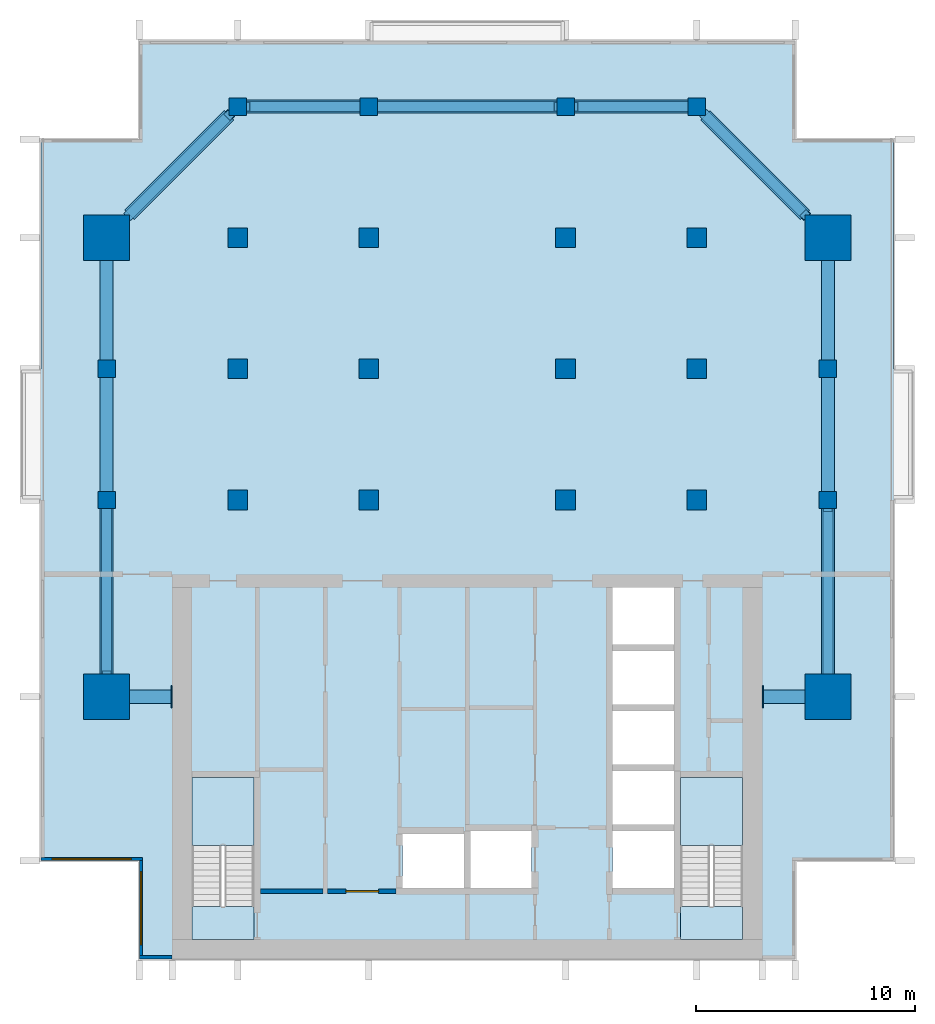
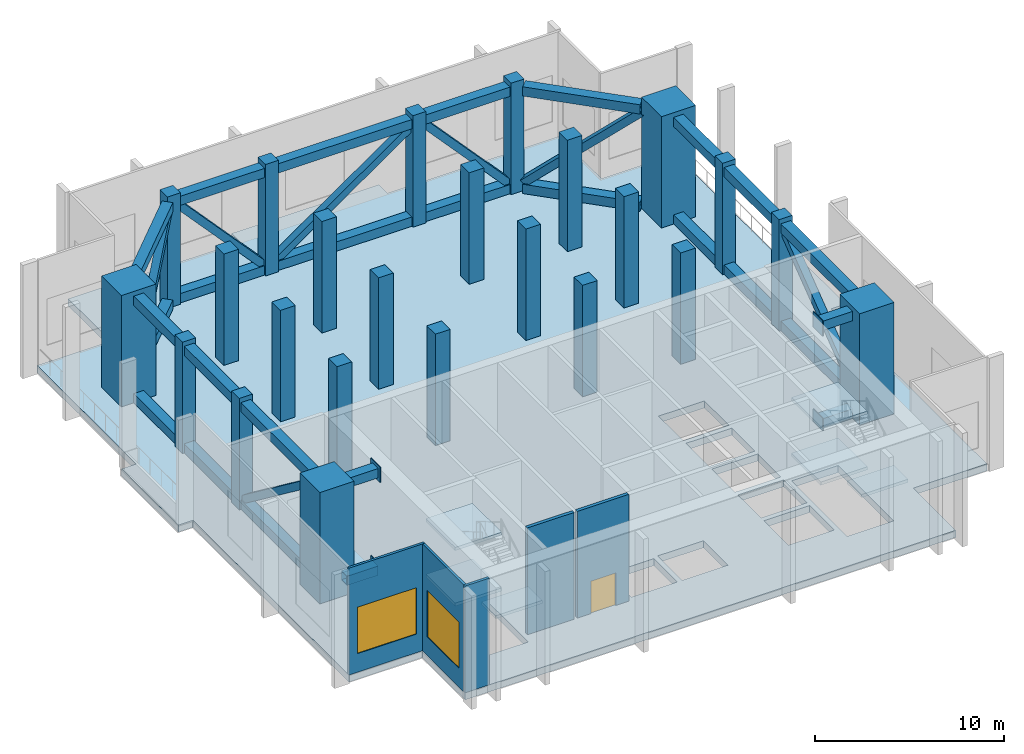
# One storey, part 1 of 9: 33 members, 24 columns, 7 slabs, 5 walls, 4 plates, 2 windows, 1 door, 3 openings, 2 elements without a shape of their own.
"""IFC4 building model written with IfcOpenShell, lengths in metres."""

from ifc_helpers import new_model, si_unit, direction, frame, frame_2d, origin, origin_2d, place, context, subcontext, project, spatial, polyline, rectangle, hollow_rectangle, outline, extrude, material, layer, layer_set, material_profile, profile_set, type_object, element, fill, aggregate, save


model = new_model("IFC4")

# Units and contexts
model_context = context("Model", 3, precision=1e-05, world=origin(), true_north=direction((0.0, 1.0)))
body_context = subcontext(model_context, "Body", "Model", "MODEL_VIEW")
ifc_project = project(units=[si_unit("LENGTHUNIT", "METRE"), si_unit("AREAUNIT", "SQUARE_METRE"), si_unit("VOLUMEUNIT", "CUBIC_METRE"), si_unit("PLANEANGLEUNIT", "RADIAN"), si_unit("MASSUNIT", "GRAM", prefix="KILO")], contexts=[model_context])

# Site, building, storey
site_placement = place(None, origin())
site = spatial("IfcSite", under=ifc_project, at=site_placement, CompositionType="ELEMENT")
building_placement = place(site_placement, origin())
building = spatial("IfcBuilding", under=site, at=building_placement, Name="Finial Court Residences", CompositionType="ELEMENT")
storey_placement = place(building_placement, frame((0.0, 0.0, 248.300048828125)))
storey = spatial("IfcBuildingStorey", under=building, at=storey_placement, Name="L63", CompositionType="ELEMENT", Elevation=248.300048828125)

# Columns
ifc_material_1 = material(Name="Concrete C50/60", Category="concrete")
ifc_material_profile_1 = material_profile(ifc_material_1, rectangle(XDim=0.89990234375, YDim=0.89990234375, at=origin_2d()), Name="900x900")
ifc_profile_set_1 = profile_set([ifc_material_profile_1], Name="Concrete C50/60")
column_type_1 = type_object("IfcColumnType", Name="Interior column 900x900 Concrete C50/60", PredefinedType="COLUMN", material=ifc_profile_set_1)
for number, where, z_axis, x_axis, name in (
    (1, (-10.5, -4.5, 0.0), (0.0, 0.0, 1.0), (1.0, 0.0, 0.0), "S:COL:L63:D4"),
    (2, (-10.5, 1.5, 0.0), (0.0, 0.0, 1.0), (1.0, 0.0, 0.0), "S:COL:L63:D5"),
    (3, (-10.5, 7.5, 0.0), (0.0, 0.0, 1.0), (1.0, 0.0, 0.0), "S:COL:L63:D6"),
    (4, (-4.5, -4.5, 0.0), (0.0, 0.0, 1.0), (1.0, 0.0, 0.0), "S:COL:L63:E4"),
    (5, (-4.5, 1.5, 0.0), (0.0, 0.0, 1.0), (1.0, 0.0, 0.0), "S:COL:L63:E5"),
    (6, (-4.5, 7.5, 0.0), (0.0, 0.0, 1.0), (1.0, 0.0, 0.0), "S:COL:L63:E6"),
    (7, (4.5, -4.5, 0.0), (0.0, 0.0, 1.0), (1.0, 0.0, 0.0), "S:COL:L63:F4"),
    (8, (4.5, 1.5, 0.0), (0.0, 0.0, 1.0), (1.0, 0.0, 0.0), "S:COL:L63:F5"),
    (9, (4.5, 7.5, 0.0), (0.0, 0.0, 1.0), (1.0, 0.0, 0.0), "S:COL:L63:F6"),
    (10, (10.5, -4.5, 0.0), (0.0, 0.0, 1.0), (1.0, 0.0, 0.0), "S:COL:L63:G4"),
    (11, (10.5, 1.5, 0.0), (0.0, 0.0, 1.0), (1.0, 0.0, 0.0), "S:COL:L63:G5"),
    (12, (10.5, 7.5, 0.0), (0.0, 0.0, 1.0), (1.0, 0.0, 0.0), "S:COL:L63:G6"),
):
    element("IfcColumn", number, at=place(storey_placement, frame(where, z_axis=z_axis, x_axis=x_axis)), inside=storey, type_object=column_type_1, Name=name, PredefinedType="COLUMN", context=body_context, shape_type="SweptSolid", body=[
        extrude(rectangle(XDim=0.89990234375, YDim=0.89990234375, at=origin_2d()), origin(), (0.0, 0.0, 1.0), 7.199951171875),
    ])
ifc_material_profile_2 = material_profile(ifc_material_1, rectangle(XDim=2.10009765625, YDim=2.10009765625, at=origin_2d()), Name="2100x2100")
ifc_profile_set_2 = profile_set([ifc_material_profile_2], Name="Concrete C50/60")
column_type_2 = type_object("IfcColumnType", Name="Mega column 2100x2100 Concrete C50/60", PredefinedType="COLUMN", material=ifc_profile_set_2)
for number, where, z_axis, x_axis, name in (
    (13, (-16.5, -13.5, 0.0), (0.0, 0.0, 1.0), (1.0, 0.0, 0.0), "S:COL:L63:C3"),
    (14, (-16.5, 7.5, 0.0), (0.0, 0.0, 1.0), (1.0, 0.0, 0.0), "S:COL:L63:C6"),
    (15, (16.5, -13.5, 0.0), (0.0, 0.0, 1.0), (1.0, 0.0, 0.0), "S:COL:L63:H3"),
    (16, (16.5, 7.5, 0.0), (0.0, 0.0, 1.0), (1.0, 0.0, 0.0), "S:COL:L63:H6"),
):
    element("IfcColumn", number, at=place(storey_placement, frame(where, z_axis=z_axis, x_axis=x_axis)), inside=storey, type_object=column_type_2, Name=name, PredefinedType="COLUMN", context=body_context, shape_type="SweptSolid", body=[
        extrude(rectangle(XDim=2.10009765625, YDim=2.10009765625, at=origin_2d()), origin(), (0.0, 0.0, 1.0), 7.199951171875),
    ])
ifc_material_profile_3 = material_profile(ifc_material_1, rectangle(XDim=0.800048828125, YDim=0.800048828125, at=origin_2d()), Name="800x800")
ifc_profile_set_3 = profile_set([ifc_material_profile_3], Name="Concrete C50/60")
column_type_3 = type_object("IfcColumnType", Name="Perimeter column 800x800 Concrete C50/60", PredefinedType="COLUMN", material=ifc_profile_set_3)
for number, where, z_axis, x_axis, name in (
    (17, (-16.5, -4.5, 0.0), (0.0, 0.0, 1.0), (1.0, 0.0, 0.0), "S:COL:L63:C4"),
    (18, (-16.5, 1.5, 0.0), (0.0, 0.0, 1.0), (1.0, 0.0, 0.0), "S:COL:L63:C5"),
    (19, (-10.5, 13.5, 0.0), (0.0, 0.0, 1.0), (1.0, 0.0, 0.0), "S:COL:L63:D7"),
    (20, (-4.5, 13.5, 0.0), (0.0, 0.0, 1.0), (1.0, 0.0, 0.0), "S:COL:L63:E7"),
    (21, (4.5, 13.5, 0.0), (0.0, 0.0, 1.0), (1.0, 0.0, 0.0), "S:COL:L63:F7"),
    (22, (10.5, 13.5, 0.0), (0.0, 0.0, 1.0), (1.0, 0.0, 0.0), "S:COL:L63:G7"),
    (23, (16.5, -4.5, 0.0), (0.0, 0.0, 1.0), (1.0, 0.0, 0.0), "S:COL:L63:H4"),
    (24, (16.5, 1.5, 0.0), (0.0, 0.0, 1.0), (1.0, 0.0, 0.0), "S:COL:L63:H5"),
):
    element("IfcColumn", number, at=place(storey_placement, frame(where, z_axis=z_axis, x_axis=x_axis)), inside=storey, type_object=column_type_3, Name=name, PredefinedType="COLUMN", context=body_context, shape_type="SweptSolid", body=[
        extrude(rectangle(XDim=0.800048828125, YDim=0.800048828125, at=origin_2d()), origin(), (0.0, 0.0, 1.0), 7.199951171875),
    ])

# Members
ifc_material_2 = material(Name="Steel ASTM A572 Gr 50", Category="steel")
ifc_material_profile_4 = material_profile(ifc_material_2, hollow_rectangle(XDim=0.60009765625, YDim=0.60009765625, WallThickness=0.034912109375, at=origin_2d()), Name="Box 600x600x35")
ifc_profile_set_4 = profile_set([ifc_material_profile_4], Name="Steel ASTM A572 Gr 50")
member_type_1 = type_object("IfcMemberType", Name="Belt truss chord Box 600x600x35", PredefinedType="CHORD", material=ifc_profile_set_4)
for number, where, z_axis, x_axis, name in (
    (25, (-13.550048828125, -13.5, 0.300048828125), (-1.0, 0.0, 0.0), (0.0, -1.0, 0.0), "S:TR:L63:01:B"),
    (26, (-13.550048828125, -13.5, 6.598876953125), (-1.0, 0.0, 0.0), (0.0, -1.0, 0.0), "S:TR:L63:01:T"),
):
    element("IfcMember", number, at=place(storey_placement, frame(where, z_axis=z_axis, x_axis=x_axis)), inside=storey, type_object=member_type_1, Name=name, PredefinedType="CHORD", context=body_context, shape_type="SweptSolid", body=[
        extrude(hollow_rectangle(XDim=0.60009765625, YDim=0.60009765625, WallThickness=0.034912109375, at=origin_2d()), origin(), (0.0, 0.0, 1.0), 1.89990234375),
    ])
for number, where, z_axis, x_axis, name in (
    (27, (-16.5, -12.449951171875, 0.300048828125), (0.0, 1.0, 0.0), (-1.0, 0.0, 0.0), "S:TR:L63:02:B"),
    (28, (-16.5, -12.449951171875, 6.598876953125), (0.0, 1.0, 0.0), (-1.0, 0.0, 0.0), "S:TR:L63:02:T"),
):
    element("IfcMember", number, at=place(storey_placement, frame(where, z_axis=z_axis, x_axis=x_axis)), inside=storey, type_object=member_type_1, Name=name, PredefinedType="CHORD", context=body_context, shape_type="SweptSolid", body=[
        extrude(hollow_rectangle(XDim=0.60009765625, YDim=0.60009765625, WallThickness=0.034912109375, at=origin_2d()), origin(), (0.0, 0.0, 1.0), 7.550048828125),
    ])
for number, where, z_axis, x_axis, name in (
    (29, (-16.5, -4.10009765625, 0.300048828125), (0.0, 1.0, 0.0), (-1.0, 0.0, 0.0), "S:TR:L63:03:B"),
    (30, (-16.5, -4.10009765625, 6.598876953125), (0.0, 1.0, 0.0), (-1.0, 0.0, 0.0), "S:TR:L63:03:T"),
):
    element("IfcMember", number, at=place(storey_placement, frame(where, z_axis=z_axis, x_axis=x_axis)), inside=storey, type_object=member_type_1, Name=name, PredefinedType="CHORD", context=body_context, shape_type="SweptSolid", body=[
        extrude(hollow_rectangle(XDim=0.60009765625, YDim=0.60009765625, WallThickness=0.034912109375, at=origin_2d()), origin(), (0.0, 0.0, 1.0), 5.2001953125),
    ])
for number, where, z_axis, x_axis, name in (
    (31, (-16.5, 1.89990234375, 0.300048828125), (0.0, 1.0, 0.0), (-1.0, 0.0, 0.0), "S:TR:L63:04:B"),
    (32, (-16.5, 1.89990234375, 6.598876953125), (0.0, 1.0, 0.0), (-1.0, 0.0, 0.0), "S:TR:L63:04:T"),
):
    element("IfcMember", number, at=place(storey_placement, frame(where, z_axis=z_axis, x_axis=x_axis)), inside=storey, type_object=member_type_1, Name=name, PredefinedType="CHORD", context=body_context, shape_type="SweptSolid", body=[
        extrude(hollow_rectangle(XDim=0.60009765625, YDim=0.60009765625, WallThickness=0.034912109375, at=origin_2d()), origin(), (0.0, 0.0, 1.0), 4.550048828125),
    ])
for number, where, z_axis, x_axis, name in (
    (33, (-15.449951171875, 8.550048828125, 0.300048828125), (0.707106781187, 0.707106781187, 0.0), (-0.707106781187, 0.707106781187, 0.0), "S:TR:L63:05:B"),
    (34, (-15.449951171875, 8.550048828125, 6.598876953125), (0.707106781187, 0.707106781187, 0.0), (-0.707106781187, 0.707106781187, 0.0), "S:TR:L63:05:T"),
):
    element("IfcMember", number, at=place(storey_placement, frame(where, z_axis=z_axis, x_axis=x_axis)), inside=storey, type_object=member_type_1, Name=name, PredefinedType="CHORD", context=body_context, shape_type="SweptSolid", body=[
        extrude(hollow_rectangle(XDim=0.60009765625, YDim=0.60009765625, WallThickness=0.034912109375, at=origin_2d()), origin(), (0.0, 0.0, 1.0), 6.434814453125),
    ])
for number, where, z_axis, x_axis, name in (
    (35, (-10.10009765625, 13.5, 0.300048828125), (1.0, 0.0, 0.0), (0.0, 1.0, 0.0), "S:TR:L63:06:B"),
    (36, (-10.10009765625, 13.5, 6.598876953125), (1.0, 0.0, 0.0), (0.0, 1.0, 0.0), "S:TR:L63:06:T"),
):
    element("IfcMember", number, at=place(storey_placement, frame(where, z_axis=z_axis, x_axis=x_axis)), inside=storey, type_object=member_type_1, Name=name, PredefinedType="CHORD", context=body_context, shape_type="SweptSolid", body=[
        extrude(hollow_rectangle(XDim=0.60009765625, YDim=0.60009765625, WallThickness=0.034912109375, at=origin_2d()), origin(), (0.0, 0.0, 1.0), 5.2001953125),
    ])
for number, where, z_axis, x_axis, name in (
    (37, (-4.10009765625, 13.5, 0.300048828125), (1.0, 0.0, 0.0), (0.0, 1.0, 0.0), "S:TR:L63:07:B"),
    (38, (-4.10009765625, 13.5, 6.598876953125), (1.0, 0.0, 0.0), (0.0, 1.0, 0.0), "S:TR:L63:07:T"),
):
    element("IfcMember", number, at=place(storey_placement, frame(where, z_axis=z_axis, x_axis=x_axis)), inside=storey, type_object=member_type_1, Name=name, PredefinedType="CHORD", context=body_context, shape_type="SweptSolid", body=[
        extrude(hollow_rectangle(XDim=0.60009765625, YDim=0.60009765625, WallThickness=0.034912109375, at=origin_2d()), origin(), (0.0, 0.0, 1.0), 8.2001953125),
    ])
for number, where, z_axis, x_axis, name in (
    (39, (4.89990234375, 13.5, 0.300048828125), (1.0, 0.0, 0.0), (0.0, 1.0, 0.0), "S:TR:L63:08:B"),
    (40, (4.89990234375, 13.5, 6.598876953125), (1.0, 0.0, 0.0), (0.0, 1.0, 0.0), "S:TR:L63:08:T"),
):
    element("IfcMember", number, at=place(storey_placement, frame(where, z_axis=z_axis, x_axis=x_axis)), inside=storey, type_object=member_type_1, Name=name, PredefinedType="CHORD", context=body_context, shape_type="SweptSolid", body=[
        extrude(hollow_rectangle(XDim=0.60009765625, YDim=0.60009765625, WallThickness=0.034912109375, at=origin_2d()), origin(), (0.0, 0.0, 1.0), 5.2001953125),
    ])
for number, where, z_axis, x_axis, name in (
    (41, (10.89990234375, 13.10009765625, 0.300048828125), (0.707106781187, -0.707106781187, 0.0), (0.707106781187, 0.707106781187, 0.0), "S:TR:L63:09:B"),
    (42, (10.89990234375, 13.10009765625, 6.598876953125), (0.707106781187, -0.707106781187, 0.0), (0.707106781187, 0.707106781187, 0.0), "S:TR:L63:09:T"),
):
    element("IfcMember", number, at=place(storey_placement, frame(where, z_axis=z_axis, x_axis=x_axis)), inside=storey, type_object=member_type_1, Name=name, PredefinedType="CHORD", context=body_context, shape_type="SweptSolid", body=[
        extrude(hollow_rectangle(XDim=0.60009765625, YDim=0.60009765625, WallThickness=0.034912109375, at=origin_2d()), origin(), (0.0, 0.0, 1.0), 6.434814453125),
    ])
for number, where, z_axis, x_axis, name in (
    (43, (16.5, 6.449951171875, 0.300048828125), (0.0, -1.0, 0.0), (1.0, 0.0, 0.0), "S:TR:L63:10:B"),
    (44, (16.5, 6.449951171875, 6.598876953125), (0.0, -1.0, 0.0), (1.0, 0.0, 0.0), "S:TR:L63:10:T"),
):
    element("IfcMember", number, at=place(storey_placement, frame(where, z_axis=z_axis, x_axis=x_axis)), inside=storey, type_object=member_type_1, Name=name, PredefinedType="CHORD", context=body_context, shape_type="SweptSolid", body=[
        extrude(hollow_rectangle(XDim=0.60009765625, YDim=0.60009765625, WallThickness=0.034912109375, at=origin_2d()), origin(), (0.0, 0.0, 1.0), 4.550048828125),
    ])
for number, where, z_axis, x_axis, name in (
    (45, (16.5, 1.10009765625, 0.300048828125), (0.0, -1.0, 0.0), (1.0, 0.0, 0.0), "S:TR:L63:11:B"),
    (46, (16.5, 1.10009765625, 6.598876953125), (0.0, -1.0, 0.0), (1.0, 0.0, 0.0), "S:TR:L63:11:T"),
):
    element("IfcMember", number, at=place(storey_placement, frame(where, z_axis=z_axis, x_axis=x_axis)), inside=storey, type_object=member_type_1, Name=name, PredefinedType="CHORD", context=body_context, shape_type="SweptSolid", body=[
        extrude(hollow_rectangle(XDim=0.60009765625, YDim=0.60009765625, WallThickness=0.034912109375, at=origin_2d()), origin(), (0.0, 0.0, 1.0), 5.2001953125),
    ])
for number, where, z_axis, x_axis, name in (
    (47, (16.5, -4.89990234375, 0.300048828125), (0.0, -1.0, 0.0), (1.0, 0.0, 0.0), "S:TR:L63:12:B"),
    (48, (16.5, -4.89990234375, 6.598876953125), (0.0, -1.0, 0.0), (1.0, 0.0, 0.0), "S:TR:L63:12:T"),
):
    element("IfcMember", number, at=place(storey_placement, frame(where, z_axis=z_axis, x_axis=x_axis)), inside=storey, type_object=member_type_1, Name=name, PredefinedType="CHORD", context=body_context, shape_type="SweptSolid", body=[
        extrude(hollow_rectangle(XDim=0.60009765625, YDim=0.60009765625, WallThickness=0.034912109375, at=origin_2d()), origin(), (0.0, 0.0, 1.0), 7.550048828125),
    ])
for number, where, z_axis, x_axis, name in (
    (49, (15.449951171875, -13.5, 0.300048828125), (-1.0, 0.0, 0.0), (0.0, -1.0, 0.0), "S:TR:L63:13:B"),
    (50, (15.449951171875, -13.5, 6.598876953125), (-1.0, 0.0, 0.0), (0.0, -1.0, 0.0), "S:TR:L63:13:T"),
):
    element("IfcMember", number, at=place(storey_placement, frame(where, z_axis=z_axis, x_axis=x_axis)), inside=storey, type_object=member_type_1, Name=name, PredefinedType="CHORD", context=body_context, shape_type="SweptSolid", body=[
        extrude(hollow_rectangle(XDim=0.60009765625, YDim=0.60009765625, WallThickness=0.034912109375, at=origin_2d()), origin(), (0.0, 0.0, 1.0), 1.89990234375),
    ])
ifc_material_profile_5 = material_profile(ifc_material_2, hollow_rectangle(XDim=0.449951171875, YDim=0.449951171875, WallThickness=0.028076171875, at=origin_2d()), Name="Box 450x450x28")
ifc_profile_set_5 = profile_set([ifc_material_profile_5], Name="Steel ASTM A572 Gr 50")
member_type_2 = type_object("IfcMemberType", Name="Belt truss diagonal Box 450x450x28", PredefinedType="BRACE", material=ifc_profile_set_5)
member_1_placement = place(storey_placement, frame((-16.5, -12.449951171875, 6.299072265625), z_axis=(0.0, 0.798134825253, -0.602478879894), x_axis=(-1.0, 0.0, 0.0)))
element("IfcMember", 51, at=member_1_placement, inside=storey, type_object=member_type_2, Name="S:TR:L63:02:D", PredefinedType="BRACE", context=body_context, shape_type="SweptSolid", body=[
    extrude(hollow_rectangle(XDim=0.449951171875, YDim=0.449951171875, WallThickness=0.028076171875, at=origin_2d()), origin(), (0.0, 0.0, 1.0), 9.459716796875),
])
member_2_placement = place(storey_placement, frame((-15.449951171875, 8.550048828125, 0.599853515625), z_axis=(0.529336803365, 0.529336803365, 0.663027222071), x_axis=(-0.707106781187, 0.707106781187, 0.0)))
element("IfcMember", 52, at=member_2_placement, inside=storey, type_object=member_type_2, Name="S:TR:L63:05:D", PredefinedType="BRACE", context=body_context, shape_type="SweptSolid", body=[
    extrude(hollow_rectangle(XDim=0.449951171875, YDim=0.449951171875, WallThickness=0.028076171875, at=origin_2d()), origin(), (0.0, 0.0, 1.0), 8.595703125),
])
member_3_placement = place(storey_placement, frame((-10.10009765625, 13.5, 6.299072265625), z_axis=(0.674026220018, 0.0, -0.738707421601), x_axis=(0.0, 1.0, 0.0)))
element("IfcMember", 53, at=member_3_placement, inside=storey, type_object=member_type_2, Name="S:TR:L63:06:D", PredefinedType="BRACE", context=body_context, shape_type="SweptSolid", body=[
    extrude(hollow_rectangle(XDim=0.449951171875, YDim=0.449951171875, WallThickness=0.028076171875, at=origin_2d()), origin(), (0.0, 0.0, 1.0), 7.715087890625),
])
member_4_placement = place(storey_placement, frame((-4.10009765625, 13.5, 0.599853515625), z_axis=(0.821152281131, 0.0, 0.570709147634), x_axis=(0.0, 1.0, 0.0)))
element("IfcMember", 54, at=member_4_placement, inside=storey, type_object=member_type_2, Name="S:TR:L63:07:D", PredefinedType="BRACE", context=body_context, shape_type="SweptSolid", body=[
    extrude(hollow_rectangle(XDim=0.449951171875, YDim=0.449951171875, WallThickness=0.028076171875, at=origin_2d()), origin(), (0.0, 0.0, 1.0), 9.986083984375),
])
member_5_placement = place(storey_placement, frame((4.89990234375, 13.5, 6.299072265625), z_axis=(0.674026220018, 0.0, -0.738707421601), x_axis=(0.0, 1.0, 0.0)))
element("IfcMember", 55, at=member_5_placement, inside=storey, type_object=member_type_2, Name="S:TR:L63:08:D", PredefinedType="BRACE", context=body_context, shape_type="SweptSolid", body=[
    extrude(hollow_rectangle(XDim=0.449951171875, YDim=0.449951171875, WallThickness=0.028076171875, at=origin_2d()), origin(), (0.0, 0.0, 1.0), 7.715087890625),
])
member_6_placement = place(storey_placement, frame((10.89990234375, 13.10009765625, 0.599853515625), z_axis=(0.529336803365, -0.529336803365, 0.663027222071), x_axis=(0.707106781187, 0.707106781187, 0.0)))
element("IfcMember", 56, at=member_6_placement, inside=storey, type_object=member_type_2, Name="S:TR:L63:09:D", PredefinedType="BRACE", context=body_context, shape_type="SweptSolid", body=[
    extrude(hollow_rectangle(XDim=0.449951171875, YDim=0.449951171875, WallThickness=0.028076171875, at=origin_2d()), origin(), (0.0, 0.0, 1.0), 8.595703125),
])
member_7_placement = place(storey_placement, frame((16.5, -4.89990234375, 6.299072265625), z_axis=(0.0, -0.798134825253, -0.602478879894), x_axis=(1.0, 0.0, 0.0)))
element("IfcMember", 57, at=member_7_placement, inside=storey, type_object=member_type_2, Name="S:TR:L63:12:D", PredefinedType="BRACE", context=body_context, shape_type="SweptSolid", body=[
    extrude(hollow_rectangle(XDim=0.449951171875, YDim=0.449951171875, WallThickness=0.028076171875, at=origin_2d()), origin(), (0.0, 0.0, 1.0), 9.459716796875),
])

# Plates
ifc_layer_1 = layer(ifc_material_2, 0.050048828125)
ifc_layer_set_1 = layer_set([ifc_layer_1], Name="Cast-in plate 50")
plate_type = type_object("IfcPlateType", Name="Cast-in plate 50", PredefinedType="USERDEFINED", material=ifc_layer_set_1)
for number, where, z_axis, x_axis, name in (
    (58, (-13.52490234375, -13.5, -0.199951171875), (0.0, 0.0, 1.0), (1.0, 0.0, 0.0), "S:TR:L63:01:CP0B"),
    (59, (-13.52490234375, -13.5, 6.098876953125), (0.0, 0.0, 1.0), (1.0, 0.0, 0.0), "S:TR:L63:01:CP0T"),
    (60, (13.52490234375, -13.5, -0.199951171875), (0.0, 0.0, 1.0), (1.0, 0.0, 0.0), "S:TR:L63:13:CP1B"),
    (61, (13.52490234375, -13.5, 6.098876953125), (0.0, 0.0, 1.0), (1.0, 0.0, 0.0), "S:TR:L63:13:CP1T"),
):
    element("IfcPlate", number, at=place(storey_placement, frame(where, z_axis=z_axis, x_axis=x_axis)), inside=storey, type_object=plate_type, Name=name, ObjectType="Cast-in plate", PredefinedType="USERDEFINED", context=body_context, shape_type="SweptSolid", body=[
        extrude(rectangle(XDim=0.050048828125, YDim=1.0, at=origin_2d()), origin(), (0.0, 0.0, 1.0), 1.0),
    ])

# Stair, slabs
stair_type = type_object("IfcStairType", Name="Exit stair 44 risers of 163.6 mm", PredefinedType="HALF_TURN_STAIR", material=ifc_material_1)
stair_1_placement = place(storey_placement, origin())
stair_1 = element("IfcStair", 62, at=stair_1_placement, inside=storey, type_object=stair_type, Name="L63 Exit stair ST-1", PredefinedType="HALF_TURN_STAIR")
ifc_layer_2 = layer(ifc_material_1, 0.199951171875)
ifc_layer_set_2 = layer_set([ifc_layer_2], Name="Exit stair landing")
slab_type_1 = type_object("IfcSlabType", Name="Exit stair landing", PredefinedType="LANDING", material=ifc_layer_set_2)
slab_1_placement = place(storey_placement, frame((0.0, 0.0, 1.599853515625)))
slab_1 = element("IfcSlab", 63, at=slab_1_placement, type_object=slab_type_1, Name="ST-1 landing 1", PredefinedType="LANDING", context=body_context, shape_type="SweptSolid", body=[
    extrude(outline(polyline([(-9.75, -20.300048828125), (-9.75, -17.199951171875), (-12.60009765625, -17.199951171875), (-12.60009765625, -20.300048828125), (-9.75, -20.300048828125)])), origin(), (0.0, 0.0, 1.0), 0.2001953125),
])
slab_2_placement = place(storey_placement, frame((0.0, 0.0, 3.39990234375)))
slab_2 = element("IfcSlab", 64, at=slab_2_placement, type_object=slab_type_1, Name="ST-1 landing 2", PredefinedType="LANDING", context=body_context, shape_type="SweptSolid", body=[
    extrude(outline(polyline([(-9.75, -24.60009765625), (-9.75, -23.10009765625), (-12.60009765625, -23.10009765625), (-12.60009765625, -24.60009765625), (-9.75, -24.60009765625)])), origin(), (0.0, 0.0, 1.0), 0.199951171875),
])
slab_3_placement = place(storey_placement, frame((0.0, 0.0, 5.199951171875)))
slab_3 = element("IfcSlab", 65, at=slab_3_placement, type_object=slab_type_1, Name="ST-1 landing 3", PredefinedType="LANDING", context=body_context, shape_type="SweptSolid", body=[
    extrude(outline(polyline([(-9.75, -20.300048828125), (-9.75, -17.199951171875), (-12.60009765625, -17.199951171875), (-12.60009765625, -20.300048828125), (-9.75, -20.300048828125)])), origin(), (0.0, 0.0, 1.0), 0.199951171875),
])
aggregate(stair_1, [slab_1, slab_2, slab_3])

stair_2_placement = place(storey_placement, origin())
stair_2 = element("IfcStair", 66, at=stair_2_placement, inside=storey, type_object=stair_type, Name="L63 Exit stair ST-2", PredefinedType="HALF_TURN_STAIR")
slab_4_placement = place(storey_placement, frame((0.0, 0.0, 1.599853515625)))
slab_4 = element("IfcSlab", 67, at=slab_4_placement, type_object=slab_type_1, Name="ST-2 landing 1", PredefinedType="LANDING", context=body_context, shape_type="SweptSolid", body=[
    extrude(outline(polyline([(12.60009765625, -20.300048828125), (12.60009765625, -17.199951171875), (9.75, -17.199951171875), (9.75, -20.300048828125), (12.60009765625, -20.300048828125)])), origin(), (0.0, 0.0, 1.0), 0.2001953125),
])
slab_5_placement = place(storey_placement, frame((0.0, 0.0, 3.39990234375)))
slab_5 = element("IfcSlab", 68, at=slab_5_placement, type_object=slab_type_1, Name="ST-2 landing 2", PredefinedType="LANDING", context=body_context, shape_type="SweptSolid", body=[
    extrude(outline(polyline([(12.60009765625, -24.60009765625), (12.60009765625, -23.10009765625), (9.75, -23.10009765625), (9.75, -24.60009765625), (12.60009765625, -24.60009765625)])), origin(), (0.0, 0.0, 1.0), 0.199951171875),
])
slab_6_placement = place(storey_placement, frame((0.0, 0.0, 5.199951171875)))
slab_6 = element("IfcSlab", 69, at=slab_6_placement, type_object=slab_type_1, Name="ST-2 landing 3", PredefinedType="LANDING", context=body_context, shape_type="SweptSolid", body=[
    extrude(outline(polyline([(12.60009765625, -20.300048828125), (12.60009765625, -17.199951171875), (9.75, -17.199951171875), (9.75, -20.300048828125), (12.60009765625, -20.300048828125)])), origin(), (0.0, 0.0, 1.0), 0.199951171875),
])
aggregate(stair_2, [slab_4, slab_5, slab_6])

# Slab
ifc_material_3 = material(Name="Concrete C40/50", Category="concrete")
ifc_layer_3 = layer(ifc_material_3, 0.449951171875)
ifc_layer_set_3 = layer_set([ifc_layer_3], Name="Flat plate slab 450 Concrete C40/50")
slab_type_2 = type_object("IfcSlabType", Name="Flat plate slab 450 Concrete C40/50", PredefinedType="FLOOR", material=ifc_layer_set_3)
slab_7_placement = place(storey_placement, frame((0.0, 0.0, -0.449951171875)))
element("IfcSlab", 70, at=slab_7_placement, inside=storey, type_object=slab_type_2, Name="S:SLAB:L63", PredefinedType="FLOOR", context=body_context, shape_type="SweptSolid", body=[
    extrude(outline(polyline([(-19.5, -21.0), (-19.5, -4.5), (-20.39990234375, -4.5), (-20.39990234375, 1.5), (-19.5, 1.5), (-19.5, 12.0), (-15.0, 12.0), (-15.0, 16.5), (-4.5, 16.5), (-4.5, 17.39990234375), (4.5, 17.39990234375), (4.5, 16.5), (15.0, 16.5), (15.0, 12.0), (19.5, 12.0), (19.5, 1.5), (20.39990234375, 1.5), (20.39990234375, -4.5), (19.5, -4.5), (19.5, -21.0), (15.0, -21.0), (15.0, -25.5), (-15.0, -25.5), (-15.0, -21.0), (-19.5, -21.0)]), holes=[polyline([(-0.14990234375, -19.77001953125), (-2.949951171875, -19.77001953125), (-2.949951171875, -22.25), (-0.14990234375, -22.25), (-0.14990234375, -19.77001953125)]), polyline([(2.949951171875, -19.64990234375), (0.14990234375, -19.64990234375), (0.14990234375, -22.25), (2.949951171875, -22.25), (2.949951171875, -19.64990234375)]), polyline([(9.449951171875, -19.64990234375), (6.64990234375, -19.64990234375), (6.64990234375, -22.25), (9.449951171875, -22.25), (9.449951171875, -19.64990234375)]), polyline([(-12.60009765625, -17.199951171875), (-12.60009765625, -23.09912109375), (-9.75, -23.09912109375), (-9.75, -17.199951171875), (-12.60009765625, -17.199951171875)]), polyline([(9.75, -17.199951171875), (9.75, -23.09912109375), (12.60009765625, -23.09912109375), (12.60009765625, -17.199951171875), (9.75, -17.199951171875)]), polyline([(9.449951171875, -16.89990234375), (6.64990234375, -16.89990234375), (6.64990234375, -19.35009765625), (9.449951171875, -19.35009765625), (9.449951171875, -16.89990234375)]), polyline([(9.449951171875, -14.14990234375), (6.64990234375, -14.14990234375), (6.64990234375, -16.60009765625), (9.449951171875, -16.60009765625), (9.449951171875, -14.14990234375)]), polyline([(9.449951171875, -13.85009765625), (9.449951171875, -11.39990234375), (6.64990234375, -11.39990234375), (6.64990234375, -13.85009765625), (9.449951171875, -13.85009765625)]), polyline([(9.449951171875, -11.10009765625), (9.449951171875, -8.5), (6.64990234375, -8.5), (6.64990234375, -11.10009765625), (9.449951171875, -11.10009765625)])]), origin(), (0.0, 0.0, 1.0), 0.449951171875),
])

# Wall
ifc_material_4 = material(Name="Natural limestone", Category="masonry")
ifc_layer_4 = layer(ifc_material_4, 0.14990234375)
ifc_layer_set_4 = layer_set([ifc_layer_4], Name="Plant storey wall, limestone clad 150")
wall_type_1 = type_object("IfcWallType", Name="Plant storey wall, limestone clad 150", PredefinedType="SOLIDWALL", material=ifc_layer_set_4)
wall_1_placement = place(storey_placement, frame((-13.5, -25.425048828125, 0.0), z_axis=(0.0, 0.0, 1.0), x_axis=(-1.0, 0.0, 0.0)))
element("IfcWall", 71, at=wall_1_placement, inside=storey, type_object=wall_type_1, Name="E-L63-PWS3", PredefinedType="SOLIDWALL", context=body_context, shape_type="SweptSolid", body=[
    extrude(rectangle(XDim=1.5, YDim=0.14990234375, at=frame_2d((0.75, 0.0))), origin(), (0.0, 0.0, 1.0), 6.89990234375),
])

# Wall, opening, window
wall_2_placement = place(storey_placement, frame((-14.925048828125, -25.35009765625, 0.0), z_axis=(0.0, 0.0, 1.0), x_axis=(0.0, 1.0, 0.0)))
wall_2 = element("IfcWall", 72, at=wall_2_placement, inside=storey, type_object=wall_type_1, Name="E-L63-PWW6", PredefinedType="SOLIDWALL", context=body_context, shape_type="SweptSolid", body=[
    extrude(rectangle(XDim=4.35009765625, YDim=0.14990234375, at=frame_2d((2.175048828125, 0.0))), origin(), (0.0, 0.0, 1.0), 6.89990234375),
])
opening_1_placement = place(wall_2_placement, frame((0.5, 0.0, 1.199951171875)))
opening_1 = element("IfcOpeningElement", 73, at=opening_1_placement, cuts=wall_2, Name="Opening WE63-10", PredefinedType="OPENING", context=body_context, shape_type="SweptSolid", body=[
    extrude(rectangle(XDim=3.35009765625, YDim=3.0, at=frame_2d((1.675048828125, 1.5))), frame((0.0, 0.0849609375, 0.0), z_axis=(0.0, -1.0, 0.0), x_axis=(1.0, 0.0, 0.0)), (0.0, 0.0, 1.0), 0.169921875),
])
ifc_material_5 = material(Name="Bronze anodised aluminium", Category="aluminium")
window_type_1 = type_object("IfcWindowType", Name="Plant louvre 3350 x 3000", PartitioningType="SINGLE_PANEL", PredefinedType="WINDOW", material=ifc_material_5)
window_1_placement = place(opening_1_placement, origin())
window_1 = element("IfcWindow", 74, at=window_1_placement, inside=storey, type_object=window_type_1, Name="E-L63-PWW6-W1", OverallHeight=3.0, OverallWidth=3.35009765625, PartitioningType="SINGLE_PANEL", PredefinedType="WINDOW", context=body_context, shape_type="SweptSolid", body=[
    extrude(rectangle(XDim=3.35009765625, YDim=3.0, at=frame_2d((1.675048828125, 1.5))), frame((0.0, 0.030029296875, 0.0), z_axis=(0.0, -1.0, 0.0), x_axis=(1.0, 0.0, 0.0)), (0.0, 0.0, 1.0), 0.06005859375),
])
fill(opening_1, window_1)

wall_3_placement = place(storey_placement, frame((-14.85009765625, -20.925048828125, 0.0), z_axis=(0.0, 0.0, 1.0), x_axis=(-1.0, 0.0, 0.0)))
wall_3 = element("IfcWall", 75, at=wall_3_placement, inside=storey, type_object=wall_type_1, Name="E-L63-PWS7", PredefinedType="SOLIDWALL", context=body_context, shape_type="SweptSolid", body=[
    extrude(rectangle(XDim=4.64990234375, YDim=0.14990234375, at=frame_2d((2.324951171875, 0.0))), origin(), (0.0, 0.0, 1.0), 6.89990234375),
])
opening_2_placement = place(wall_3_placement, frame((0.52490234375, 0.0, 1.199951171875)))
opening_2 = element("IfcOpeningElement", 76, at=opening_2_placement, cuts=wall_3, Name="Opening WE63-11", PredefinedType="OPENING", context=body_context, shape_type="SweptSolid", body=[
    extrude(rectangle(XDim=3.60009765625, YDim=3.0, at=frame_2d((1.800048828125, 1.5))), frame((0.0, 0.0849609375, 0.0), z_axis=(0.0, -1.0, 0.0), x_axis=(1.0, 0.0, 0.0)), (0.0, 0.0, 1.0), 0.169921875),
])
window_type_2 = type_object("IfcWindowType", Name="Plant louvre 3600 x 3000", PartitioningType="SINGLE_PANEL", PredefinedType="WINDOW", material=ifc_material_5)
window_2_placement = place(opening_2_placement, origin())
window_2 = element("IfcWindow", 77, at=window_2_placement, inside=storey, type_object=window_type_2, Name="E-L63-PWS7-W1", OverallHeight=3.0, OverallWidth=3.60009765625, PartitioningType="SINGLE_PANEL", PredefinedType="WINDOW", context=body_context, shape_type="SweptSolid", body=[
    extrude(rectangle(XDim=3.60009765625, YDim=3.0, at=frame_2d((1.800048828125, 1.5))), frame((0.0, 0.030029296875, 0.0), z_axis=(0.0, -1.0, 0.0), x_axis=(1.0, 0.0, 0.0)), (0.0, 0.0, 1.0), 0.06005859375),
])
fill(opening_2, window_2)

# Wall
ifc_material_6 = material(Name="Fire-rated gypsum board partition")
ifc_layer_5 = layer(ifc_material_6, 0.199951171875)
ifc_layer_set_5 = layer_set([ifc_layer_5], Name="Riser room wall 200 EI 120")
wall_type_2 = type_object("IfcWallType", Name="Riser room wall 200 EI 120", PredefinedType="PARTITIONING", material=ifc_layer_set_5)
wall_4_placement = place(storey_placement, frame((-9.449951171875, -22.39990234375, 0.0), z_axis=(0.0, 0.0, 1.0), x_axis=(1.0, 0.0, 0.0)))
element("IfcWall", 78, at=wall_4_placement, inside=storey, type_object=wall_type_2, Name="Core partition L63-01", PredefinedType="PARTITIONING", context=body_context, shape_type="SweptSolid", body=[
    extrude(rectangle(XDim=2.849853515625, YDim=0.199951171875, at=frame_2d((1.4248046875, 0.0))), origin(), (0.0, 0.0, 1.0), 6.89990234375),
])

# Wall, opening, door
ifc_layer_6 = layer(ifc_material_6, 0.199951171875)
ifc_layer_set_6 = layer_set([ifc_layer_6], Name="Stair passage wall 200 EI 180")
wall_type_3 = type_object("IfcWallType", Name="Stair passage wall 200 EI 180", PredefinedType="PARTITIONING", material=ifc_layer_set_6)
wall_5_placement = place(storey_placement, frame((-3.25, -22.39990234375, 0.0), z_axis=(0.0, 0.0, 1.0), x_axis=(-1.0, 0.0, 0.0)))
wall_5 = element("IfcWall", 79, at=wall_5_placement, inside=storey, type_object=wall_type_3, Name="Core partition L63-02", PredefinedType="PARTITIONING", context=body_context, shape_type="SweptSolid", body=[
    extrude(rectangle(XDim=3.14990234375, YDim=0.199951171875, at=frame_2d((1.574951171875, 0.0))), origin(), (0.0, 0.0, 1.0), 6.89990234375),
])
opening_3_placement = place(wall_5_placement, frame((0.800048828125, 0.0, 0.0)))
opening_3 = element("IfcOpeningElement", 80, at=opening_3_placement, cuts=wall_5, Name="Opening L63-C05", PredefinedType="OPENING", context=body_context, shape_type="SweptSolid", body=[
    extrude(rectangle(XDim=1.5, YDim=2.10009765625, at=frame_2d((0.75, 1.050048828125))), frame((0.0, 0.10986328125, 0.0), z_axis=(0.0, -1.0, 0.0), x_axis=(1.0, 0.0, 0.0)), (0.0, 0.0, 1.0), 0.219970703125),
])
ifc_material_7 = material(Name="Steel fire door", Category="steel")
door_type = type_object("IfcDoorType", Name="Lift lobby door 1500 x 2100 EI 60", OperationType="DOUBLE_DOOR_SINGLE_SWING", PredefinedType="DOOR", material=ifc_material_7)
door_placement = place(opening_3_placement, origin())
door = element("IfcDoor", 81, at=door_placement, inside=storey, type_object=door_type, Name="Lift lobby door L63-C05", OperationType="DOUBLE_DOOR_SINGLE_SWING", OverallHeight=2.10009765625, OverallWidth=1.5, PredefinedType="DOOR", context=body_context, shape_type="SweptSolid", body=[
    extrude(rectangle(XDim=1.5, YDim=2.10009765625, at=frame_2d((0.75, 1.050048828125))), frame((0.0, 0.02490234375, 0.0), z_axis=(0.0, -1.0, 0.0), x_axis=(1.0, 0.0, 0.0)), (0.0, 0.0, 1.0), 0.050048828125),
])
fill(opening_3, door)

save(model, "model.ifc")
